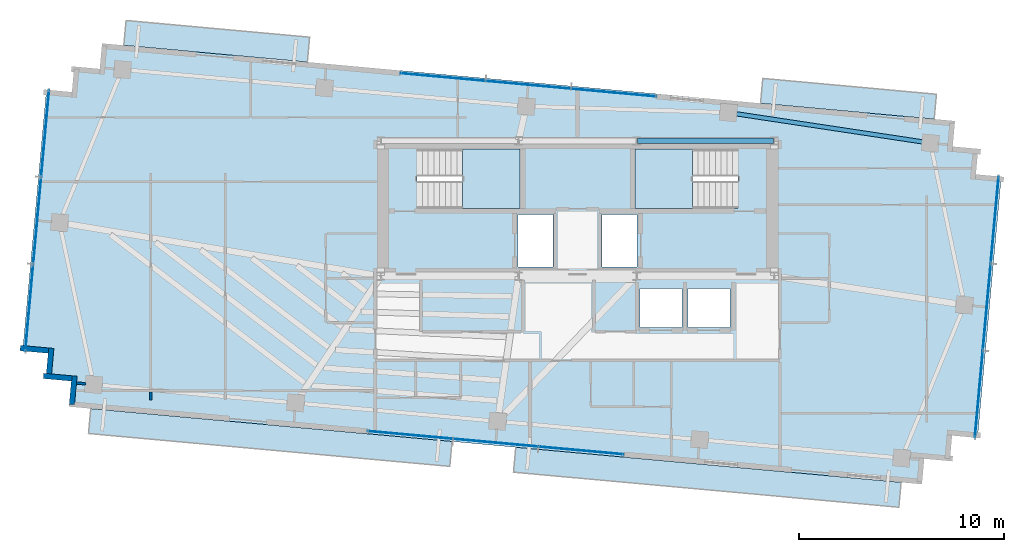
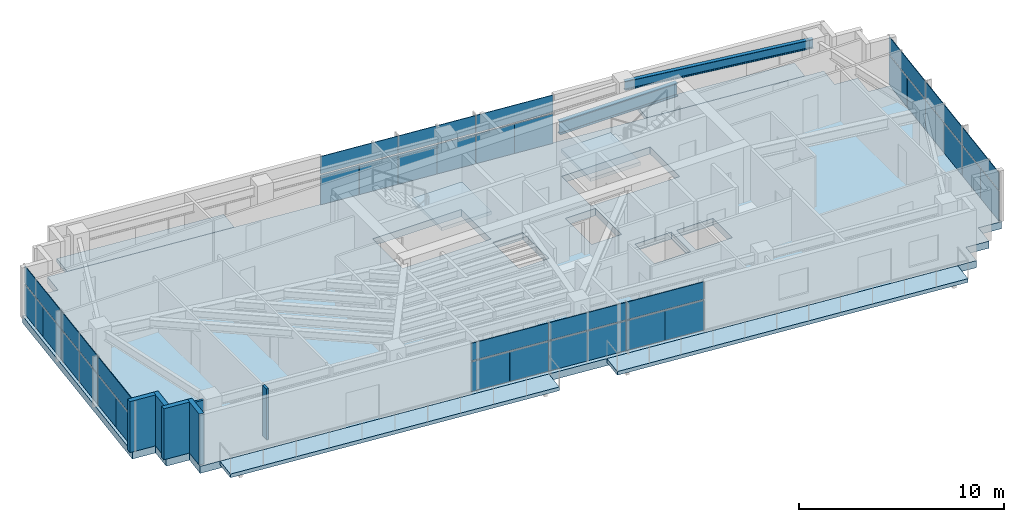
# One storey, part 15 of 22: 36 plates, 7 slabs, 6 walls, 2 beams, 6 elements without a shape of their own.
"""IFC4 building model written with IfcOpenShell, lengths in metres."""

from ifc_helpers import new_model, si_unit, direction, frame, frame_2d, origin, origin_2d, place, context, subcontext, project, spatial, polyline, rectangle, i_section, outline, extrude, source, transform, mapped, material, layer, layer_set, material_profile, profile_set, type_object, type_shapes, element, aggregate, save


model = new_model("IFC4")

# Units and contexts
model_context = context("Model", 3, precision=1e-05, world=origin(), true_north=direction((0.0, 1.0)))
body_context = subcontext(model_context, "Body", "Model", "MODEL_VIEW")
ifc_project = project(units=[si_unit("LENGTHUNIT", "METRE"), si_unit("AREAUNIT", "SQUARE_METRE"), si_unit("VOLUMEUNIT", "CUBIC_METRE"), si_unit("PLANEANGLEUNIT", "RADIAN"), si_unit("MASSUNIT", "GRAM", prefix="KILO")], contexts=[model_context])

# Site, building, storey
site_placement = place(None, origin())
site = spatial("IfcSite", under=ifc_project, at=site_placement, CompositionType="ELEMENT")
building_placement = place(site_placement, origin())
building = spatial("IfcBuilding", under=site, at=building_placement, Name="Astriad Promenade Condominiums", CompositionType="ELEMENT")
storey_placement = place(building_placement, frame((0.0, 0.0, 216.60009765625)))
storey = spatial("IfcBuildingStorey", under=building, at=storey_placement, Name="L62", CompositionType="ELEMENT", Elevation=216.60009765625)

# Beams
ifc_material_1 = material(Name="Steel ASTM A992 Grade 50", Category="steel")
ifc_material_profile_1 = material_profile(ifc_material_1, i_section(OverallWidth=0.267822265625, OverallDepth=0.76953125, WebThickness=0.015625, FlangeThickness=0.025390625, FilletRadius=0.021484375, at=origin_2d()), Name="W30X132")
ifc_profile_set_1 = profile_set([ifc_material_profile_1], Name="Steel ASTM A992 Grade 50")
beam_type_1 = type_object("IfcBeamType", Name="STEEL FLOOR GIRDER W30X132", PredefinedType="BEAM", material=ifc_profile_set_1)
shared_shape_1 = source(origin(), body_context, "Body", "SweptSolid", [
    extrude(i_section(OverallWidth=0.267822265625, OverallDepth=0.76953125, WebThickness=0.015625, FlangeThickness=0.025390625, FilletRadius=0.021484375, at=origin_2d()), origin(), (0.0, 0.0, 1.0), 6.64013671875),
])
type_shapes(beam_type_1, [shared_shape_1])
beam_1_placement = place(storey_placement, frame((38.919921875, 24.0, 2.655029296875), z_axis=(1.0, 0.0, 0.0), x_axis=(0.0, 1.0, 0.0)))
element("IfcBeam", 1, at=beam_1_placement, inside=storey, type_object=beam_type_1, Name="Core Ring Beam CG-N3-L62", PredefinedType="BEAM", context=body_context, shape_type="MappedRepresentation", body=[
    mapped(shared_shape_1, transform((0.0, 0.0, 0.0), scale=1.0)),
])
ifc_material_profile_2 = material_profile(ifc_material_1, i_section(OverallWidth=0.210693359375, OverallDepth=0.53955078125, WebThickness=0.01171875, FlangeThickness=0.018798828125, FilletRadius=0.0166015625, at=origin_2d()), Name="W21X73")
ifc_profile_set_2 = profile_set([ifc_material_profile_2], Name="Steel ASTM A992 Grade 50")
beam_type_2 = type_object("IfcBeamType", Name="STEEL SPANDREL BEAM W21X73", PredefinedType="SPANDREL", material=ifc_profile_set_2)
shared_shape_2 = source(origin(), body_context, "Body", "SweptSolid", [
    extrude(i_section(OverallWidth=0.210693359375, OverallDepth=0.53955078125, WebThickness=0.01171875, FlangeThickness=0.018798828125, FilletRadius=0.0166015625, at=origin_2d()), origin(), (0.0, 0.0, 1.0), 9.890869140625),
])
type_shapes(beam_type_2, [shared_shape_2])
beam_2_placement = place(storey_placement, frame((53.1787109375, 23.899658203125, 2.77001953125), z_axis=(-0.988827455442, 0.149064628143, 0.0), x_axis=(-0.149064628143, -0.988827455442, 0.0)))
element("IfcBeam", 2, at=beam_2_placement, inside=storey, type_object=beam_type_2, Name="Perimeter Spandrel Beam SP-N4-L62", PredefinedType="SPANDREL", context=body_context, shape_type="MappedRepresentation", body=[
    mapped(shared_shape_2, transform((0.0, 0.0, 0.0), scale=1.0)),
])

# Slab
ifc_material_2 = material(Name="Concrete C60/75", Category="concrete")
ifc_layer_1 = layer(ifc_material_2, 0.419921875)
ifc_layer_set_1 = layer_set([ifc_layer_1], Name="Concrete C60/75")
slab_type_1 = type_object("IfcSlabType", Name="CONCRETE TRANSFER FLOOR SLAB 420", PredefinedType="FLOOR", material=ifc_layer_set_1)
slab_1_placement = place(storey_placement, frame((0.0, 0.0, -0.420166015625)))
element("IfcSlab", 3, at=slab_1_placement, inside=storey, type_object=slab_type_1, Name="Structural Floor Slab (L62)", PredefinedType="FLOOR", context=body_context, shape_type="SweptSolid", body=[
    extrude(outline(polyline([(11.179443359375, 11.03076171875), (52.807373046875, 7.242431640625), (52.920654296875, 8.4873046875), (54.16552734375, 8.3740234375), (54.27880859375, 9.618896484375), (55.523681640625, 9.505615234375), (56.68359375, 22.2529296875), (55.43896484375, 22.3662109375), (55.55224609375, 23.611083984375), (54.307373046875, 23.724365234375), (54.420654296875, 24.96923828125), (12.79248046875, 28.757568359375), (12.679443359375, 27.5126953125), (11.4345703125, 27.6259765625), (11.3212890625, 26.381103515625), (10.076416015625, 26.494384765625), (8.916259765625, 13.7470703125), (10.1611328125, 13.6337890625), (10.0478515625, 12.388916015625), (11.292724609375, 12.275634765625), (11.179443359375, 11.03076171875)]), holes=[polyline([(28.175048828125, 20.699951171875), (33.175048828125, 20.699951171875), (33.175048828125, 23.60009765625), (28.175048828125, 23.60009765625), (28.175048828125, 20.699951171875)]), polyline([(38.824951171875, 20.699951171875), (43.824951171875, 20.699951171875), (43.824951171875, 23.60009765625), (38.824951171875, 23.60009765625), (38.824951171875, 20.699951171875)]), polyline([(33.10009765625, 17.85009765625), (34.800048828125, 17.85009765625), (34.800048828125, 20.39990234375), (33.10009765625, 20.39990234375), (33.10009765625, 17.85009765625)]), polyline([(37.199951171875, 17.85009765625), (38.89990234375, 17.85009765625), (38.89990234375, 20.39990234375), (37.199951171875, 20.39990234375), (37.199951171875, 17.85009765625)]), polyline([(39.050048828125, 14.89990234375), (41.10009765625, 14.89990234375), (41.10009765625, 16.800048828125), (39.050048828125, 16.800048828125), (39.050048828125, 14.89990234375)]), polyline([(41.39990234375, 14.89990234375), (43.449951171875, 14.89990234375), (43.449951171875, 16.800048828125), (41.39990234375, 16.800048828125), (41.39990234375, 14.89990234375)])]), origin(), (0.0, 0.0, 1.0), 0.420166015625),
])

# Stair, slab
ifc_material_3 = material(Name="Concrete C50/60", Category="concrete")
stair_type = type_object("IfcStairType", Name="STR-CORE-1350", PredefinedType="HALF_TURN_STAIR", material=ifc_material_3)
stair_1_placement = place(storey_placement, origin())
stair_1 = element("IfcStair", 4, at=stair_1_placement, inside=storey, type_object=stair_type, Name="L62 Enclosed Core Exit Stair ST-1", PredefinedType="HALF_TURN_STAIR")
ifc_layer_2 = layer(ifc_material_3, 0.219970703125)
ifc_layer_set_2 = layer_set([ifc_layer_2], Name="Concrete C50/60")
slab_type_2 = type_object("IfcSlabType", Name="SLB-LANDING-220", PredefinedType="LANDING", material=ifc_layer_set_2)
slab_2_placement = place(storey_placement, frame((0.0, 0.0, 1.449951171875)))
slab_2 = element("IfcSlab", 5, at=slab_2_placement, type_object=slab_type_2, Name="ST-1 landing 1", PredefinedType="LANDING", context=body_context, shape_type="SweptSolid", body=[
    extrude(outline(polyline([(30.389892578125, 20.699951171875), (33.199951171875, 20.699951171875), (33.199951171875, 23.60009765625), (30.389892578125, 23.60009765625), (30.389892578125, 20.699951171875)])), origin(), (0.0, 0.0, 1.0), 0.199951171875),
])
aggregate(stair_1, [slab_2])

stair_2_placement = place(storey_placement, origin())
stair_2 = element("IfcStair", 6, at=stair_2_placement, inside=storey, type_object=stair_type, Name="L62 Enclosed Core Exit Stair ST-2", PredefinedType="HALF_TURN_STAIR")
slab_3_placement = place(storey_placement, frame((0.0, 0.0, 1.449951171875)))
slab_3 = element("IfcSlab", 7, at=slab_3_placement, type_object=slab_type_2, Name="ST-2 landing 1", PredefinedType="LANDING", context=body_context, shape_type="SweptSolid", body=[
    extrude(outline(polyline([(41.610107421875, 23.60009765625), (38.800048828125, 23.60009765625), (38.800048828125, 20.699951171875), (41.610107421875, 20.699951171875), (41.610107421875, 23.60009765625)])), origin(), (0.0, 0.0, 1.0), 0.199951171875),
])
aggregate(stair_2, [slab_3])

# Slabs
ifc_material_4 = material(Name="Precast concrete C50/60", Category="concrete")
ifc_layer_3 = layer(ifc_material_4, 0.219970703125)
ifc_layer_set_3 = layer_set([ifc_layer_3], Name="Precast concrete C50/60")
slab_type_3 = type_object("IfcSlabType", Name="WHITE PRECAST CONCRETE WAVE BALCONY SLAB 220", PredefinedType="FLOOR", material=ifc_layer_set_3)
slab_4_placement = place(storey_placement, frame((0.0, 0.0, -0.22021484375)))
element("IfcSlab", 8, at=slab_4_placement, inside=storey, type_object=slab_type_3, Name="White Precast Wave Balcony Slab BAL-L62-SW", PredefinedType="FLOOR", context=body_context, shape_type="SweptSolid", body=[
    extrude(outline(polyline([(29.763671875, 8.114501953125), (12.12939453125, 9.71923828125), (12.23974609375, 10.932373046875), (29.873779296875, 9.327392578125), (29.763671875, 8.114501953125)])), origin(), (0.0, 0.0, 1.0), 0.22021484375),
])
slab_5_placement = place(storey_placement, frame((0.0, 0.0, -0.22021484375)))
element("IfcSlab", 9, at=slab_5_placement, inside=storey, type_object=slab_type_3, Name="White Precast Wave Balcony Slab BAL-L62-SE", PredefinedType="FLOOR", context=body_context, shape_type="SweptSolid", body=[
    extrude(outline(polyline([(51.681884765625, 6.119873046875), (32.872802734375, 7.83154296875), (32.983154296875, 9.04443359375), (51.792236328125, 7.332763671875), (51.681884765625, 6.119873046875)])), origin(), (0.0, 0.0, 1.0), 0.22021484375),
])
slab_6_placement = place(storey_placement, frame((0.0, 0.0, -0.22021484375)))
element("IfcSlab", 10, at=slab_6_placement, inside=storey, type_object=slab_type_3, Name="White Precast Wave Balcony Slab BAL-L62-NW", PredefinedType="FLOOR", context=body_context, shape_type="SweptSolid", body=[
    extrude(outline(polyline([(13.9638671875, 29.8759765625), (22.921875, 29.060791015625), (22.811279296875, 27.847900390625), (13.853515625, 28.6630859375), (13.9638671875, 29.8759765625)])), origin(), (0.0, 0.0, 1.0), 0.22021484375),
])
slab_7_placement = place(storey_placement, frame((0.0, 0.0, -0.22021484375)))
element("IfcSlab", 11, at=slab_7_placement, inside=storey, type_object=slab_type_3, Name="White Precast Wave Balcony Slab BAL-L62-NE", PredefinedType="FLOOR", context=body_context, shape_type="SweptSolid", body=[
    extrude(outline(polyline([(45.040283203125, 27.0478515625), (53.516357421875, 26.276611328125), (53.406005859375, 25.0634765625), (44.929931640625, 25.8349609375), (45.040283203125, 27.0478515625)])), origin(), (0.0, 0.0, 1.0), 0.22021484375),
])

# Curtain wall, plates
ifc_material_5 = material(Name="Anodised aluminium Black Dark Glass Unitised", Category="aluminium")
curtain_wall_type = type_object("IfcCurtainWallType", Name="CW-B5-DARK", PredefinedType="USERDEFINED", material=ifc_material_5)
curtain_wall_1_placement = place(storey_placement, origin())
curtain_wall_1 = element("IfcCurtainWall", 12, at=curtain_wall_1_placement, inside=storey, type_object=curtain_wall_type, Name="CW-L62-W", ObjectType="UNITISED_CURTAIN_WALL", PredefinedType="USERDEFINED")
ifc_material_6 = material(Name="Dark Tinted Low-E Laminated Glass", Category="glass")
ifc_layer_4 = layer(ifc_material_6, 0.035888671875)
ifc_layer_set_4 = layer_set([ifc_layer_4], Name="Dark Tinted Low-E Laminated Glass")
plate_type = type_object("IfcPlateType", Name="PNL-DARK-GLASS-36", PredefinedType="CURTAIN_PANEL", material=ifc_layer_set_4)
shared_shape_3 = source(origin(), body_context, "Body", "SweptSolid", [
    extrude(rectangle(XDim=2.121337890625, YDim=0.035888671875, at=origin_2d()), origin(), (0.0, 0.0, 1.0), 1.764892578125),
])
plate_1_placement = place(storey_placement, frame((9.142578125, 14.797607421875, 0.080078125), z_axis=(0.0, 0.0, 1.0), x_axis=(0.090632580198, 0.995884398616, 0.0)))
plate_1 = element("IfcPlate", 13, at=plate_1_placement, type_object=plate_type, Name="CW-L62-W-PNL-00-VL", PredefinedType="CURTAIN_PANEL", context=body_context, shape_type="MappedRepresentation", body=[
    mapped(shared_shape_3, transform((0.0, 0.0, 0.0), scale=1.0)),
])
plate_2_placement = place(storey_placement, frame((9.335693359375, 16.922119140625, 0.080078125), z_axis=(0.0, 0.0, 1.0), x_axis=(0.090632580198, 0.995884398616, 0.0)))
plate_2 = element("IfcPlate", 14, at=plate_2_placement, type_object=plate_type, Name="CW-L62-W-PNL-00-VR", PredefinedType="CURTAIN_PANEL", context=body_context, shape_type="MappedRepresentation", body=[
    mapped(shared_shape_3, transform((0.0, 0.0, 0.0), scale=1.0)),
])
plate_3_placement = place(storey_placement, frame((9.529296875, 19.046630859375, 0.080078125), z_axis=(0.0, 0.0, 1.0), x_axis=(0.090632580198, 0.995884398616, 0.0)))
plate_3 = element("IfcPlate", 15, at=plate_3_placement, type_object=plate_type, Name="CW-L62-W-PNL-01-VL", PredefinedType="CURTAIN_PANEL", context=body_context, shape_type="MappedRepresentation", body=[
    mapped(shared_shape_3, transform((0.0, 0.0, 0.0), scale=1.0)),
])
plate_4_placement = place(storey_placement, frame((9.722412109375, 21.17138671875, 0.080078125), z_axis=(0.0, 0.0, 1.0), x_axis=(0.090632580198, 0.995884398616, 0.0)))
plate_4 = element("IfcPlate", 16, at=plate_4_placement, type_object=plate_type, Name="CW-L62-W-PNL-01-VR", PredefinedType="CURTAIN_PANEL", context=body_context, shape_type="MappedRepresentation", body=[
    mapped(shared_shape_3, transform((0.0, 0.0, 0.0), scale=1.0)),
])
plate_5_placement = place(storey_placement, frame((9.916015625, 23.2958984375, 0.080078125), z_axis=(0.0, 0.0, 1.0), x_axis=(0.090632580198, 0.995884398616, 0.0)))
plate_5 = element("IfcPlate", 17, at=plate_5_placement, type_object=plate_type, Name="CW-L62-W-PNL-02-VL", PredefinedType="CURTAIN_PANEL", context=body_context, shape_type="MappedRepresentation", body=[
    mapped(shared_shape_3, transform((0.0, 0.0, 0.0), scale=1.0)),
])
plate_6_placement = place(storey_placement, frame((10.109130859375, 25.42041015625, 0.080078125), z_axis=(0.0, 0.0, 1.0), x_axis=(0.090632580198, 0.995884398616, 0.0)))
plate_6 = element("IfcPlate", 18, at=plate_6_placement, type_object=plate_type, Name="CW-L62-W-PNL-02-VR", PredefinedType="CURTAIN_PANEL", context=body_context, shape_type="MappedRepresentation", body=[
    mapped(shared_shape_3, transform((0.0, 0.0, 0.0), scale=1.0)),
])

curtain_wall_2_placement = place(storey_placement, origin())
curtain_wall_2 = element("IfcCurtainWall", 19, at=curtain_wall_2_placement, inside=storey, type_object=curtain_wall_type, Name="CW-L62-E", ObjectType="UNITISED_CURTAIN_WALL", PredefinedType="USERDEFINED")
plate_7_placement = place(storey_placement, frame((56.45751953125, 21.202392578125, 0.080078125), z_axis=(0.0, 0.0, 1.0), x_axis=(-0.090632580198, -0.995884398616, 0.0)))
plate_7 = element("IfcPlate", 20, at=plate_7_placement, type_object=plate_type, Name="CW-L62-E-PNL-00-VL", PredefinedType="CURTAIN_PANEL", context=body_context, shape_type="MappedRepresentation", body=[
    mapped(shared_shape_3, transform((0.0, 0.0, 0.0), scale=1.0)),
])
plate_8_placement = place(storey_placement, frame((56.26416015625, 19.077880859375, 0.080078125), z_axis=(0.0, 0.0, 1.0), x_axis=(-0.090632580198, -0.995884398616, 0.0)))
plate_8 = element("IfcPlate", 21, at=plate_8_placement, type_object=plate_type, Name="CW-L62-E-PNL-00-VR", PredefinedType="CURTAIN_PANEL", context=body_context, shape_type="MappedRepresentation", body=[
    mapped(shared_shape_3, transform((0.0, 0.0, 0.0), scale=1.0)),
])
plate_9_placement = place(storey_placement, frame((56.07080078125, 16.953369140625, 0.080078125), z_axis=(0.0, 0.0, 1.0), x_axis=(-0.090632580198, -0.995884398616, 0.0)))
plate_9 = element("IfcPlate", 22, at=plate_9_placement, type_object=plate_type, Name="CW-L62-E-PNL-01-VL", PredefinedType="CURTAIN_PANEL", context=body_context, shape_type="MappedRepresentation", body=[
    mapped(shared_shape_3, transform((0.0, 0.0, 0.0), scale=1.0)),
])
plate_10_placement = place(storey_placement, frame((55.87744140625, 14.82861328125, 0.080078125), z_axis=(0.0, 0.0, 1.0), x_axis=(-0.090632580198, -0.995884398616, 0.0)))
plate_10 = element("IfcPlate", 23, at=plate_10_placement, type_object=plate_type, Name="CW-L62-E-PNL-01-VR", PredefinedType="CURTAIN_PANEL", context=body_context, shape_type="MappedRepresentation", body=[
    mapped(shared_shape_3, transform((0.0, 0.0, 0.0), scale=1.0)),
])
plate_11_placement = place(storey_placement, frame((55.68408203125, 12.7041015625, 0.080078125), z_axis=(0.0, 0.0, 1.0), x_axis=(-0.090632580198, -0.995884398616, 0.0)))
plate_11 = element("IfcPlate", 24, at=plate_11_placement, type_object=plate_type, Name="CW-L62-E-PNL-02-VL", PredefinedType="CURTAIN_PANEL", context=body_context, shape_type="MappedRepresentation", body=[
    mapped(shared_shape_3, transform((0.0, 0.0, 0.0), scale=1.0)),
])
plate_12_placement = place(storey_placement, frame((55.49072265625, 10.57958984375, 0.080078125), z_axis=(0.0, 0.0, 1.0), x_axis=(-0.090632580198, -0.995884398616, 0.0)))
plate_12 = element("IfcPlate", 25, at=plate_12_placement, type_object=plate_type, Name="CW-L62-E-PNL-02-VR", PredefinedType="CURTAIN_PANEL", context=body_context, shape_type="MappedRepresentation", body=[
    mapped(shared_shape_3, transform((0.0, 0.0, 0.0), scale=1.0)),
])

# Plate
shared_shape_4 = source(origin(), body_context, "Body", "SweptSolid", [
    extrude(rectangle(XDim=4.254638671875, YDim=0.035888671875, at=origin_2d()), origin(), (0.0, 0.0, 1.0), 1.03515625),
])
plate_13_placement = place(storey_placement, frame((9.239013671875, 15.85986328125, 1.9248046875), z_axis=(0.0, 0.0, 1.0), x_axis=(0.090632580198, 0.995884398616, 0.0)))
plate_13 = element("IfcPlate", 26, at=plate_13_placement, type_object=plate_type, Name="CW-L62-W-PNL-00-S", PredefinedType="CURTAIN_PANEL", context=body_context, shape_type="MappedRepresentation", body=[
    mapped(shared_shape_4, transform((0.0, 0.0, 0.0), scale=1.0)),
])

plate_14_placement = place(storey_placement, frame((9.625732421875, 20.10888671875, 1.9248046875), z_axis=(0.0, 0.0, 1.0), x_axis=(0.090632580198, 0.995884398616, 0.0)))
plate_14 = element("IfcPlate", 27, at=plate_14_placement, type_object=plate_type, Name="CW-L62-W-PNL-01-S", PredefinedType="CURTAIN_PANEL", context=body_context, shape_type="MappedRepresentation", body=[
    mapped(shared_shape_4, transform((0.0, 0.0, 0.0), scale=1.0)),
])

plate_15_placement = place(storey_placement, frame((10.0126953125, 24.358154296875, 1.9248046875), z_axis=(0.0, 0.0, 1.0), x_axis=(0.090632580198, 0.995884398616, 0.0)))
plate_15 = element("IfcPlate", 28, at=plate_15_placement, type_object=plate_type, Name="CW-L62-W-PNL-02-S", PredefinedType="CURTAIN_PANEL", context=body_context, shape_type="MappedRepresentation", body=[
    mapped(shared_shape_4, transform((0.0, 0.0, 0.0), scale=1.0)),
])

aggregate(curtain_wall_1, [plate_1, plate_2, plate_13, plate_3, plate_4, plate_14, plate_5, plate_6, plate_15])

plate_16_placement = place(storey_placement, frame((56.36083984375, 20.14013671875, 1.9248046875), z_axis=(0.0, 0.0, 1.0), x_axis=(-0.090632580198, -0.995884398616, 0.0)))
plate_16 = element("IfcPlate", 29, at=plate_16_placement, type_object=plate_type, Name="CW-L62-E-PNL-00-S", PredefinedType="CURTAIN_PANEL", context=body_context, shape_type="MappedRepresentation", body=[
    mapped(shared_shape_4, transform((0.0, 0.0, 0.0), scale=1.0)),
])

plate_17_placement = place(storey_placement, frame((55.97412109375, 15.89111328125, 1.9248046875), z_axis=(0.0, 0.0, 1.0), x_axis=(-0.090632580198, -0.995884398616, 0.0)))
plate_17 = element("IfcPlate", 30, at=plate_17_placement, type_object=plate_type, Name="CW-L62-E-PNL-01-S", PredefinedType="CURTAIN_PANEL", context=body_context, shape_type="MappedRepresentation", body=[
    mapped(shared_shape_4, transform((0.0, 0.0, 0.0), scale=1.0)),
])

plate_18_placement = place(storey_placement, frame((55.58740234375, 11.641845703125, 1.9248046875), z_axis=(0.0, 0.0, 1.0), x_axis=(-0.090632580198, -0.995884398616, 0.0)))
plate_18 = element("IfcPlate", 31, at=plate_18_placement, type_object=plate_type, Name="CW-L62-E-PNL-02-S", PredefinedType="CURTAIN_PANEL", context=body_context, shape_type="MappedRepresentation", body=[
    mapped(shared_shape_4, transform((0.0, 0.0, 0.0), scale=1.0)),
])

aggregate(curtain_wall_2, [plate_7, plate_8, plate_16, plate_9, plate_10, plate_17, plate_11, plate_12, plate_18])

# Curtain wall, plates
curtain_wall_3_placement = place(storey_placement, origin())
curtain_wall_3 = element("IfcCurtainWall", 32, at=curtain_wall_3_placement, inside=storey, type_object=curtain_wall_type, Name="CW-L62-N", ObjectType="UNITISED_CURTAIN_WALL", PredefinedType="USERDEFINED")
shared_shape_5 = source(origin(), body_context, "Body", "SweptSolid", [
    extrude(rectangle(XDim=2.077880859375, YDim=0.035888671875, at=origin_2d()), origin(), (0.0, 0.0, 1.0), 1.764892578125),
])
plate_19_placement = place(storey_placement, frame((28.391357421875, 27.20751953125, 0.080078125), z_axis=(0.0, 0.0, 1.0), x_axis=(0.995884398616, -0.090632580198, 0.0)))
plate_19 = element("IfcPlate", 33, at=plate_19_placement, type_object=plate_type, Name="CW-L62-N-PNL-00-VL", PredefinedType="CURTAIN_PANEL", context=body_context, shape_type="MappedRepresentation", body=[
    mapped(shared_shape_5, transform((0.0, 0.0, 0.0), scale=1.0)),
])
plate_20_placement = place(storey_placement, frame((30.47265625, 27.01806640625, 0.080078125), z_axis=(0.0, 0.0, 1.0), x_axis=(0.995884398616, -0.090632580198, 0.0)))
plate_20 = element("IfcPlate", 34, at=plate_20_placement, type_object=plate_type, Name="CW-L62-N-PNL-00-VR", PredefinedType="CURTAIN_PANEL", context=body_context, shape_type="MappedRepresentation", body=[
    mapped(shared_shape_5, transform((0.0, 0.0, 0.0), scale=1.0)),
])
plate_21_placement = place(storey_placement, frame((32.55419921875, 26.82861328125, 0.080078125), z_axis=(0.0, 0.0, 1.0), x_axis=(0.995884398616, -0.090632580198, 0.0)))
plate_21 = element("IfcPlate", 35, at=plate_21_placement, type_object=plate_type, Name="CW-L62-N-PNL-01-VL", PredefinedType="CURTAIN_PANEL", context=body_context, shape_type="MappedRepresentation", body=[
    mapped(shared_shape_5, transform((0.0, 0.0, 0.0), scale=1.0)),
])
plate_22_placement = place(storey_placement, frame((34.635498046875, 26.63916015625, 0.080078125), z_axis=(0.0, 0.0, 1.0), x_axis=(0.995884398616, -0.090632580198, 0.0)))
plate_22 = element("IfcPlate", 36, at=plate_22_placement, type_object=plate_type, Name="CW-L62-N-PNL-01-VR", PredefinedType="CURTAIN_PANEL", context=body_context, shape_type="MappedRepresentation", body=[
    mapped(shared_shape_5, transform((0.0, 0.0, 0.0), scale=1.0)),
])
plate_23_placement = place(storey_placement, frame((36.716796875, 26.44970703125, 0.080078125), z_axis=(0.0, 0.0, 1.0), x_axis=(0.995884398616, -0.090632580198, 0.0)))
plate_23 = element("IfcPlate", 37, at=plate_23_placement, type_object=plate_type, Name="CW-L62-N-PNL-02-VL", PredefinedType="CURTAIN_PANEL", context=body_context, shape_type="MappedRepresentation", body=[
    mapped(shared_shape_5, transform((0.0, 0.0, 0.0), scale=1.0)),
])
plate_24_placement = place(storey_placement, frame((38.79833984375, 26.26025390625, 0.080078125), z_axis=(0.0, 0.0, 1.0), x_axis=(0.995884398616, -0.090632580198, 0.0)))
plate_24 = element("IfcPlate", 38, at=plate_24_placement, type_object=plate_type, Name="CW-L62-N-PNL-02-VR", PredefinedType="CURTAIN_PANEL", context=body_context, shape_type="MappedRepresentation", body=[
    mapped(shared_shape_5, transform((0.0, 0.0, 0.0), scale=1.0)),
])

curtain_wall_4_placement = place(storey_placement, origin())
curtain_wall_4 = element("IfcCurtainWall", 39, at=curtain_wall_4_placement, inside=storey, type_object=curtain_wall_type, Name="CW-L62-S", ObjectType="UNITISED_CURTAIN_WALL", PredefinedType="USERDEFINED")
plate_25_placement = place(storey_placement, frame((37.208740234375, 8.79248046875, 0.080078125), z_axis=(0.0, 0.0, 1.0), x_axis=(-0.995884398616, 0.090632580198, 0.0)))
plate_25 = element("IfcPlate", 40, at=plate_25_placement, type_object=plate_type, Name="CW-L62-S-PNL-00-VL", PredefinedType="CURTAIN_PANEL", context=body_context, shape_type="MappedRepresentation", body=[
    mapped(shared_shape_5, transform((0.0, 0.0, 0.0), scale=1.0)),
])
plate_26_placement = place(storey_placement, frame((35.127197265625, 8.98193359375, 0.080078125), z_axis=(0.0, 0.0, 1.0), x_axis=(-0.995884398616, 0.090632580198, 0.0)))
plate_26 = element("IfcPlate", 41, at=plate_26_placement, type_object=plate_type, Name="CW-L62-S-PNL-00-VR", PredefinedType="CURTAIN_PANEL", context=body_context, shape_type="MappedRepresentation", body=[
    mapped(shared_shape_5, transform((0.0, 0.0, 0.0), scale=1.0)),
])
plate_27_placement = place(storey_placement, frame((33.0458984375, 9.17138671875, 0.080078125), z_axis=(0.0, 0.0, 1.0), x_axis=(-0.995884398616, 0.090632580198, 0.0)))
plate_27 = element("IfcPlate", 42, at=plate_27_placement, type_object=plate_type, Name="CW-L62-S-PNL-01-VL", PredefinedType="CURTAIN_PANEL", context=body_context, shape_type="MappedRepresentation", body=[
    mapped(shared_shape_5, transform((0.0, 0.0, 0.0), scale=1.0)),
])
plate_28_placement = place(storey_placement, frame((30.964599609375, 9.36083984375, 0.080078125), z_axis=(0.0, 0.0, 1.0), x_axis=(-0.995884398616, 0.090632580198, 0.0)))
plate_28 = element("IfcPlate", 43, at=plate_28_placement, type_object=plate_type, Name="CW-L62-S-PNL-01-VR", PredefinedType="CURTAIN_PANEL", context=body_context, shape_type="MappedRepresentation", body=[
    mapped(shared_shape_5, transform((0.0, 0.0, 0.0), scale=1.0)),
])
plate_29_placement = place(storey_placement, frame((28.883056640625, 9.55029296875, 0.080078125), z_axis=(0.0, 0.0, 1.0), x_axis=(-0.995884398616, 0.090632580198, 0.0)))
plate_29 = element("IfcPlate", 44, at=plate_29_placement, type_object=plate_type, Name="CW-L62-S-PNL-02-VL", PredefinedType="CURTAIN_PANEL", context=body_context, shape_type="MappedRepresentation", body=[
    mapped(shared_shape_5, transform((0.0, 0.0, 0.0), scale=1.0)),
])
plate_30_placement = place(storey_placement, frame((26.8017578125, 9.73974609375, 0.080078125), z_axis=(0.0, 0.0, 1.0), x_axis=(-0.995884398616, 0.090632580198, 0.0)))
plate_30 = element("IfcPlate", 45, at=plate_30_placement, type_object=plate_type, Name="CW-L62-S-PNL-02-VR", PredefinedType="CURTAIN_PANEL", context=body_context, shape_type="MappedRepresentation", body=[
    mapped(shared_shape_5, transform((0.0, 0.0, 0.0), scale=1.0)),
])

# Plate
shared_shape_6 = source(origin(), body_context, "Body", "SweptSolid", [
    extrude(rectangle(XDim=4.16796875, YDim=0.035888671875, at=origin_2d()), origin(), (0.0, 0.0, 1.0), 1.03515625),
])
type_shapes(plate_type, [shared_shape_3, shared_shape_4, shared_shape_5, shared_shape_6])
plate_31_placement = place(storey_placement, frame((29.431884765625, 27.11279296875, 1.9248046875), z_axis=(0.0, 0.0, 1.0), x_axis=(0.995884398616, -0.090632580198, 0.0)))
plate_31 = element("IfcPlate", 46, at=plate_31_placement, type_object=plate_type, Name="CW-L62-N-PNL-00-S", PredefinedType="CURTAIN_PANEL", context=body_context, shape_type="MappedRepresentation", body=[
    mapped(shared_shape_6, transform((0.0, 0.0, 0.0), scale=1.0)),
])

plate_32_placement = place(storey_placement, frame((33.5947265625, 26.73388671875, 1.9248046875), z_axis=(0.0, 0.0, 1.0), x_axis=(0.995884398616, -0.090632580198, 0.0)))
plate_32 = element("IfcPlate", 47, at=plate_32_placement, type_object=plate_type, Name="CW-L62-N-PNL-01-S", PredefinedType="CURTAIN_PANEL", context=body_context, shape_type="MappedRepresentation", body=[
    mapped(shared_shape_6, transform((0.0, 0.0, 0.0), scale=1.0)),
])

plate_33_placement = place(storey_placement, frame((37.757568359375, 26.35498046875, 1.9248046875), z_axis=(0.0, 0.0, 1.0), x_axis=(0.995884398616, -0.090632580198, 0.0)))
plate_33 = element("IfcPlate", 48, at=plate_33_placement, type_object=plate_type, Name="CW-L62-N-PNL-02-S", PredefinedType="CURTAIN_PANEL", context=body_context, shape_type="MappedRepresentation", body=[
    mapped(shared_shape_6, transform((0.0, 0.0, 0.0), scale=1.0)),
])

aggregate(curtain_wall_3, [plate_19, plate_20, plate_31, plate_21, plate_22, plate_32, plate_23, plate_24, plate_33])

plate_34_placement = place(storey_placement, frame((36.16796875, 8.88720703125, 1.9248046875), z_axis=(0.0, 0.0, 1.0), x_axis=(-0.995884398616, 0.090632580198, 0.0)))
plate_34 = element("IfcPlate", 49, at=plate_34_placement, type_object=plate_type, Name="CW-L62-S-PNL-00-S", PredefinedType="CURTAIN_PANEL", context=body_context, shape_type="MappedRepresentation", body=[
    mapped(shared_shape_6, transform((0.0, 0.0, 0.0), scale=1.0)),
])

plate_35_placement = place(storey_placement, frame((32.005126953125, 9.26611328125, 1.9248046875), z_axis=(0.0, 0.0, 1.0), x_axis=(-0.995884398616, 0.090632580198, 0.0)))
plate_35 = element("IfcPlate", 50, at=plate_35_placement, type_object=plate_type, Name="CW-L62-S-PNL-01-S", PredefinedType="CURTAIN_PANEL", context=body_context, shape_type="MappedRepresentation", body=[
    mapped(shared_shape_6, transform((0.0, 0.0, 0.0), scale=1.0)),
])

plate_36_placement = place(storey_placement, frame((27.84228515625, 9.64501953125, 1.9248046875), z_axis=(0.0, 0.0, 1.0), x_axis=(-0.995884398616, 0.090632580198, 0.0)))
plate_36 = element("IfcPlate", 51, at=plate_36_placement, type_object=plate_type, Name="CW-L62-S-PNL-02-S", PredefinedType="CURTAIN_PANEL", context=body_context, shape_type="MappedRepresentation", body=[
    mapped(shared_shape_6, transform((0.0, 0.0, 0.0), scale=1.0)),
])

aggregate(curtain_wall_4, [plate_25, plate_26, plate_34, plate_27, plate_28, plate_35, plate_29, plate_30, plate_36])

# Walls
ifc_layer_5 = layer(ifc_material_4, 0.260009765625)
ifc_layer_set_5 = layer_set([ifc_layer_5], Name="Precast concrete C50/60")
wall_type_1 = type_object("IfcWallType", Name="WALL-EXT-TWR-260", PredefinedType="STANDARD", material=ifc_layer_set_5)
wall_1_placement = place(storey_placement, frame((11.3193359375, 12.40380859375, 0.0), z_axis=(0.0, 0.0, 1.0), x_axis=(-0.995881721538, 0.090661991521, 0.0)))
element("IfcWall", 52, at=wall_1_placement, inside=storey, type_object=wall_type_1, Name="W-SER-L62-00", PredefinedType="STANDARD", context=body_context, shape_type="SweptSolid", body=[
    extrude(rectangle(XDim=1.39501953125, YDim=0.260009765625, at=frame_2d((0.697509765625, 0.0))), origin(), (0.0, 0.0, 1.0), 3.039794921875),
])
wall_2_placement = place(storey_placement, frame((10.187744140625, 12.49169921875, 0.0), z_axis=(0.0, 0.0, 1.0), x_axis=(0.090646191665, 0.995883159782, 0.0)))
element("IfcWall", 53, at=wall_2_placement, inside=storey, type_object=wall_type_1, Name="W-SER-L62-01", PredefinedType="STANDARD", context=body_context, shape_type="SweptSolid", body=[
    extrude(rectangle(XDim=1.395263671875, YDim=0.260009765625, at=frame_2d((0.69775390625, 0.0))), origin(), (0.0, 0.0, 1.0), 3.039794921875),
])
for number, where, z_axis, x_axis, name in (
    (54, (10.187744140625, 13.761962890625, 0.0), (0.0, 0.0, 1.0), (-0.995881721538, 0.090661991521, 0.0), "W-SER-L62-02"),
    (55, (11.3193359375, 11.133544921875, 0.0), (0.0, 0.0, 1.0), (0.090661991521, 0.995881721538, 0.0), "W-SER-L62-19"),
):
    element("IfcWall", number, at=place(storey_placement, frame(where, z_axis=z_axis, x_axis=x_axis)), inside=storey, type_object=wall_type_1, Name=name, PredefinedType="STANDARD", context=body_context, shape_type="SweptSolid", body=[
        extrude(rectangle(XDim=1.39501953125, YDim=0.260009765625, at=frame_2d((0.697509765625, 0.0))), origin(), (0.0, 0.0, 1.0), 3.039794921875),
    ])
ifc_material_7 = material(Name="Acoustic Metal-Stud Gypsum Partition")
ifc_layer_6 = layer(ifc_material_7, 0.1201171875)
ifc_layer_set_6 = layer_set([ifc_layer_6], Name="Acoustic Metal-Stud Gypsum Partition")
wall_type_2 = type_object("IfcWallType", Name="WALL-PART-120", PredefinedType="PARTITIONING", material=ifc_layer_set_6)
wall_3_placement = place(storey_placement, frame((15.172119140625, 11.35595703125, 0.0), z_axis=(0.0, 0.0, 1.0), x_axis=(0.0, 1.0, 0.0)))
element("IfcWall", 56, at=wall_3_placement, inside=storey, type_object=wall_type_2, Name="PT-L62-W1-WDV3", PredefinedType="PARTITIONING", context=body_context, shape_type="SweptSolid", body=[
    extrude(rectangle(XDim=0.3779296875, YDim=0.1201171875, at=frame_2d((0.18896484375, 0.0))), origin(), (0.0, 0.0, 1.0), 3.039794921875),
])
wall_4_placement = place(storey_placement, frame((12.00341796875, 12.140625, 0.0), z_axis=(0.0, 0.0, 1.0), x_axis=(-0.995884462012, 0.090631883588, 0.0)))
element("IfcWall", 57, at=wall_4_placement, inside=storey, type_object=wall_type_2, Name="PT-PIL-L62-PC01-8", PredefinedType="PARTITIONING", context=body_context, shape_type="SweptSolid", body=[
    extrude(rectangle(XDim=0.4580078125, YDim=0.1201171875, at=frame_2d((0.22900390625, 0.0))), origin(), (0.0, 0.0, 1.0), 3.039794921875),
])

save(model, "model.ifc")
